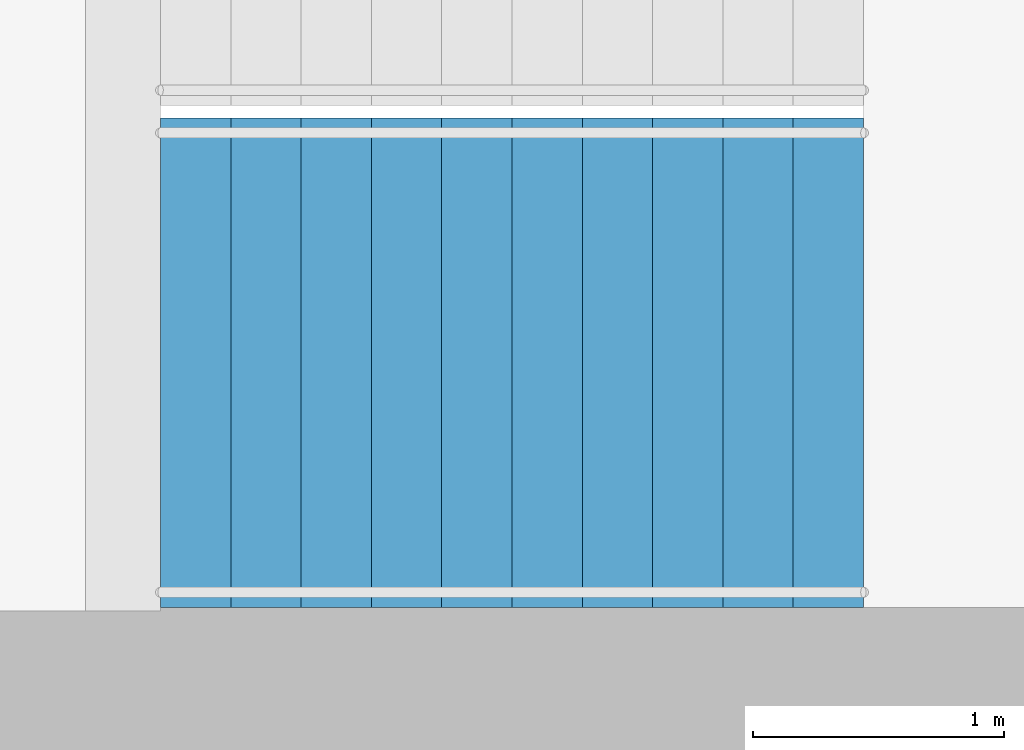
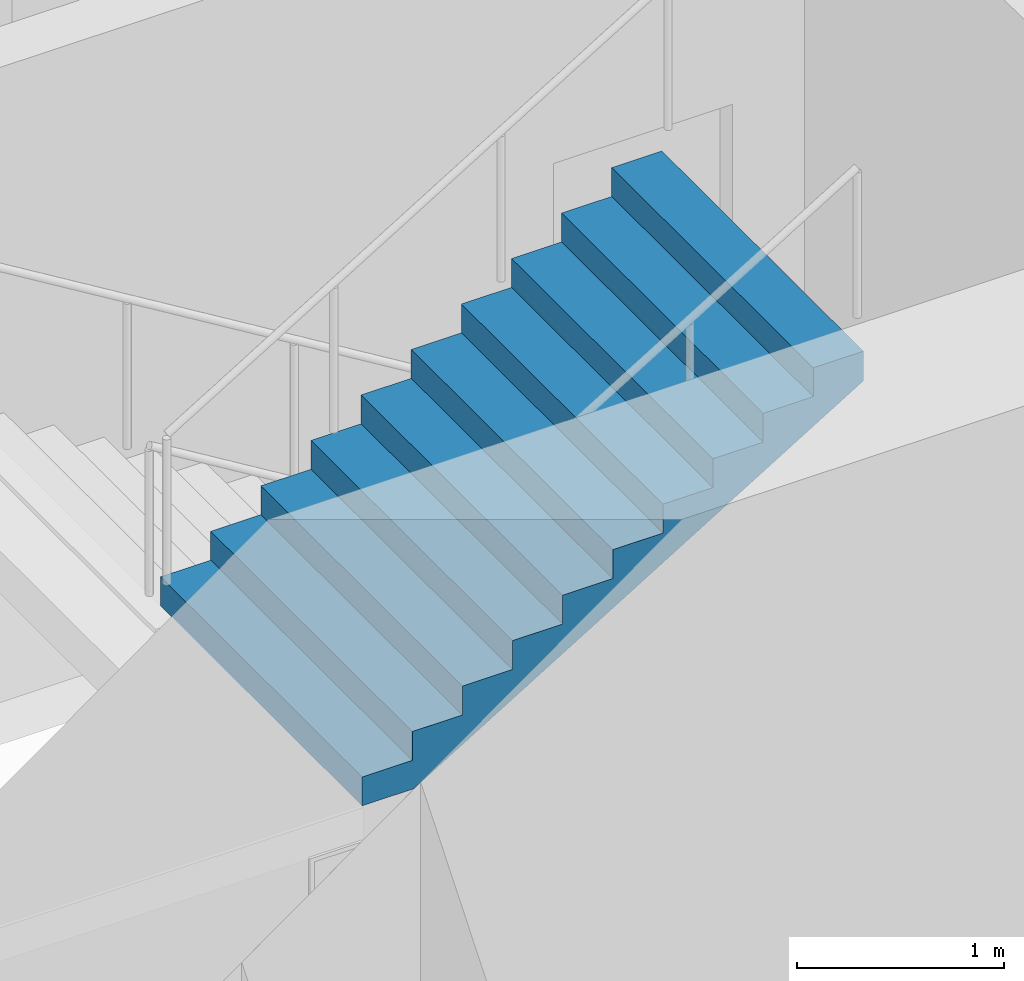
# One storey, part 22 of 24: 1 stair flight, 1 element without a shape of its own.
"""IFC4 building model written with IfcOpenShell, lengths in metres."""

from ifc_helpers import new_model, si_unit, direction, frame, origin, place, context, subcontext, project, spatial, triangles, material, type_object, element, aggregate, save


model = new_model("IFC4")

# Units and contexts
model_context = context("Model", 3, precision=1e-05, world=origin(), true_north=direction((0.0, 1.0)))
body_context = subcontext(model_context, "Body", "Model", "MODEL_VIEW")
ifc_project = project(units=[si_unit("LENGTHUNIT", "METRE"), si_unit("AREAUNIT", "SQUARE_METRE"), si_unit("VOLUMEUNIT", "CUBIC_METRE"), si_unit("PLANEANGLEUNIT", "RADIAN"), si_unit("MASSUNIT", "GRAM", prefix="KILO")], contexts=[model_context])

# Site, building, storey
site_placement = place(None, origin())
site = spatial("IfcSite", under=ifc_project, at=site_placement, CompositionType="ELEMENT")
building_placement = place(site_placement, origin())
building = spatial("IfcBuilding", under=site, at=building_placement, Name="Orbita Commons", CompositionType="ELEMENT")
storey_placement = place(building_placement, frame((0.0, 0.0, 20.199951171875)))
storey = spatial("IfcBuildingStorey", under=building, at=storey_placement, Name="L04", CompositionType="ELEMENT", Elevation=20.199951171875)

# Stair, stair flight
ifc_material_1 = material(Name="Precast concrete C40/50", Category="concrete")
stair_type = type_object("IfcStairType", Name="Exit stair S2 2 flights 11 risers 170", PredefinedType="HALF_TURN_STAIR", material=ifc_material_1)
stair_placement = place(storey_placement, origin())
stair = element("IfcStair", 1, at=stair_placement, inside=storey, type_object=stair_type, Name="Exit stair S2 L04", PredefinedType="HALF_TURN_STAIR")
ifc_material_2 = material(Name="Precast concrete C40/50", Category="concrete")
stair_flight_type = type_object("IfcStairFlightType", Name="Stair flight 11 risers 170 x 280", PredefinedType="STRAIGHT", material=ifc_material_2)
stair_flight_placement = place(storey_placement, frame((60.75, 27.27490234375, 1.875), z_axis=(0.0, 0.0, 1.0), x_axis=(1.0, 0.0, 0.0)))
stair_flight = element("IfcStairFlight", 2, at=stair_flight_placement, type_object=stair_flight_type, Name="S2 flight 2", NumberOfRisers=11, NumberOfTreads=10, PredefinedType="STRAIGHT", RiserHeight=0.170454545, TreadLength=0.28, context=body_context, shape_type="Tessellation", body=[
    triangles([(0.0, 0.974976, 0.0), (0.0, 0.974976, 0.021307), (0.0, 0.81248, 0.021307), (0.0, 0.81248, 0.0), (0.0, 0.649984, 0.021307), (0.0, 0.649984, 0.0), (0.0, 0.487488, 0.021307), (0.0, 0.487488, 0.0), (0.0, 0.324992, 0.021307), (0.0, 0.324992, 0.0), (0.0, 0.162496, 0.021307), (0.0, 0.162496, 0.0), (0.0, 0.0, 0.021307), (0.0, 0.0, 0.0), (0.0, -0.162496, 0.021307), (0.0, -0.162496, 0.0), (0.0, -0.324992, 0.021307), (0.0, -0.324992, 0.0), (0.0, -0.487488, 0.021307), (0.0, -0.487488, 0.0), (0.0, -0.649984, 0.021307), (0.0, -0.649984, 0.0), (0.0, -0.81248, 0.021307), (0.0, -0.81248, 0.0), (0.0, -0.974976, 0.021307), (0.0, -0.974976, 0.0), (0.0, 0.974976, 0.042614), (0.0, 0.81248, 0.042614), (0.0, 0.649984, 0.042614), (0.0, 0.487488, 0.042614), (0.0, 0.324992, 0.042614), (0.0, 0.162496, 0.042614), (0.0, 0.0, 0.042614), (0.0, -0.162496, 0.042614), (0.0, -0.324992, 0.042614), (0.0, -0.487488, 0.042614), (0.0, -0.649984, 0.042614), (0.0, -0.81248, 0.042614), (0.0, -0.974976, 0.042614), (0.0, 0.974976, 0.06392), (0.0, 0.81248, 0.06392), (0.0, 0.649984, 0.06392), (0.0, 0.487488, 0.06392), (0.0, 0.324992, 0.06392), (0.0, 0.162496, 0.06392), (0.0, 0.0, 0.06392), (0.0, -0.162496, 0.06392), (0.0, -0.324992, 0.06392), (0.0, -0.487488, 0.06392), (0.0, -0.649984, 0.06392), (0.0, -0.81248, 0.06392), (0.0, -0.974976, 0.06392), (0.0, 0.974976, 0.085227), (0.0, 0.81248, 0.085227), (0.0, 0.649984, 0.085227), (0.0, 0.487488, 0.085227), (0.0, 0.324992, 0.085227), (0.0, 0.162496, 0.085227), (0.0, 0.0, 0.085227), (0.0, -0.162496, 0.085227), (0.0, -0.324992, 0.085227), (0.0, -0.487488, 0.085227), (0.0, -0.649984, 0.085227), (0.0, -0.81248, 0.085227), (0.0, -0.974976, 0.085227), (0.0, 0.974976, 0.106534), (0.0, 0.81248, 0.106534), (0.0, 0.649984, 0.106534), (0.0, 0.487488, 0.106534), (0.0, 0.324992, 0.106534), (0.0, 0.162496, 0.106534), (0.0, 0.0, 0.106534), (0.0, -0.162496, 0.106534), (0.0, -0.324992, 0.106534), (0.0, -0.487488, 0.106534), (0.0, -0.649984, 0.106534), (0.0, -0.81248, 0.106534), (0.0, -0.974976, 0.106534), (0.0, 0.974976, 0.127841), (0.0, 0.81248, 0.127841), (0.0, 0.649984, 0.127841), (0.0, 0.487488, 0.127841), (0.0, 0.324992, 0.127841), (0.0, 0.162496, 0.127841), (0.0, 0.0, 0.127841), (0.0, -0.162496, 0.127841), (0.0, -0.324992, 0.127841), (0.0, -0.487488, 0.127841), (0.0, -0.649984, 0.127841), (0.0, -0.81248, 0.127841), (0.0, -0.974976, 0.127841), (0.0, 0.974976, 0.149148), (0.0, 0.81248, 0.149148), (0.0, 0.649984, 0.149148), (0.0, 0.487488, 0.149148), (0.0, 0.324992, 0.149148), (0.0, 0.162496, 0.149148), (0.0, 0.0, 0.149148), (0.0, -0.162496, 0.149148), (0.0, -0.324992, 0.149148), (0.0, -0.487488, 0.149148), (0.0, -0.649984, 0.149148), (0.0, -0.81248, 0.149148), (0.0, -0.974976, 0.149148), (0.0, 0.974976, 0.170455), (0.0, 0.81248, 0.170455), (0.0, 0.649984, 0.170455), (0.0, 0.487488, 0.170455), (0.0, 0.324992, 0.170455), (0.0, 0.162496, 0.170455), (0.0, 0.0, 0.170455), (0.0, -0.162496, 0.170455), (0.0, -0.324992, 0.170455), (0.0, -0.487488, 0.170455), (0.0, -0.649984, 0.170455), (0.0, -0.81248, 0.170455), (0.0, -0.974976, 0.170455), (0.28, 0.974976, 0.170455), (0.28, 0.81248, 0.170455), (0.28, 0.649984, 0.170455), (0.28, 0.487488, 0.170455), (0.28, 0.324992, 0.170455), (0.28, 0.162496, 0.170455), (0.28, 0.0, 0.170455), (0.28, -0.162496, 0.170455), (0.28, -0.324992, 0.170455), (0.28, -0.487488, 0.170455), (0.28, -0.649984, 0.170455), (0.28, -0.81248, 0.170455), (0.28, -0.974976, 0.170455), (0.28, 0.974976, 0.340909), (0.28, 0.81248, 0.340909), (0.28, 0.649984, 0.340909), (0.28, 0.487488, 0.340909), (0.28, 0.324992, 0.340909), (0.28, 0.162496, 0.340909), (0.28, 0.0, 0.340909), (0.28, -0.162496, 0.340909), (0.28, -0.324992, 0.340909), (0.28, -0.487488, 0.340909), (0.28, -0.649984, 0.340909), (0.28, -0.81248, 0.340909), (0.28, -0.974976, 0.340909), (0.56, 0.974976, 0.340909), (0.56, 0.81248, 0.340909), (0.56, 0.649984, 0.340909), (0.56, 0.487488, 0.340909), (0.56, 0.324992, 0.340909), (0.56, 0.162496, 0.340909), (0.56, 0.0, 0.340909), (0.56, -0.162496, 0.340909), (0.56, -0.324992, 0.340909), (0.56, -0.487488, 0.340909), (0.56, -0.649984, 0.340909), (0.56, -0.81248, 0.340909), (0.56, -0.974976, 0.340909), (0.56, 0.974976, 0.511364), (0.56, 0.81248, 0.511364), (0.56, 0.649984, 0.511364), (0.56, 0.487488, 0.511364), (0.56, 0.324992, 0.511364), (0.56, 0.162496, 0.511364), (0.56, 0.0, 0.511364), (0.56, -0.162496, 0.511364), (0.56, -0.324992, 0.511364), (0.56, -0.487488, 0.511364), (0.56, -0.649984, 0.511364), (0.56, -0.81248, 0.511364), (0.56, -0.974976, 0.511364), (0.84, 0.974976, 0.511364), (0.84, 0.81248, 0.511364), (0.84, 0.649984, 0.511364), (0.84, 0.487488, 0.511364), (0.84, 0.324992, 0.511364), (0.84, 0.162496, 0.511364), (0.84, 0.0, 0.511364), (0.84, -0.162496, 0.511364), (0.84, -0.324992, 0.511364), (0.84, -0.487488, 0.511364), (0.84, -0.649984, 0.511364), (0.84, -0.81248, 0.511364), (0.84, -0.974976, 0.511364), (0.84, 0.974976, 0.681818), (0.84, 0.81248, 0.681818), (0.84, 0.649984, 0.681818), (0.84, 0.487488, 0.681818), (0.84, 0.324992, 0.681818), (0.84, 0.162496, 0.681818), (0.84, 0.0, 0.681818), (0.84, -0.162496, 0.681818), (0.84, -0.324992, 0.681818), (0.84, -0.487488, 0.681818), (0.84, -0.649984, 0.681818), (0.84, -0.81248, 0.681818), (0.84, -0.974976, 0.681818), (1.12, 0.974976, 0.681818), (1.12, 0.81248, 0.681818), (1.12, 0.649984, 0.681818), (1.12, 0.487488, 0.681818), (1.12, 0.324992, 0.681818), (1.12, 0.162496, 0.681818), (1.12, 0.0, 0.681818), (1.12, -0.162496, 0.681818), (1.12, -0.324992, 0.681818), (1.12, -0.487488, 0.681818), (1.12, -0.649984, 0.681818), (1.12, -0.81248, 0.681818), (1.12, -0.974976, 0.681818), (1.12, 0.974976, 0.852273), (1.12, 0.81248, 0.852273), (1.12, 0.649984, 0.852273), (1.12, 0.487488, 0.852273), (1.12, 0.324992, 0.852273), (1.12, 0.162496, 0.852273), (1.12, 0.0, 0.852273), (1.12, -0.162496, 0.852273), (1.12, -0.324992, 0.852273), (1.12, -0.487488, 0.852273), (1.12, -0.649984, 0.852273), (1.12, -0.81248, 0.852273), (1.12, -0.974976, 0.852273), (1.4, 0.974976, 0.852273), (1.4, 0.81248, 0.852273), (1.4, 0.649984, 0.852273), (1.4, 0.487488, 0.852273), (1.4, 0.324992, 0.852273), (1.4, 0.162496, 0.852273), (1.4, 0.0, 0.852273), (1.4, -0.162496, 0.852273), (1.4, -0.324992, 0.852273), (1.4, -0.487488, 0.852273), (1.4, -0.649984, 0.852273), (1.4, -0.81248, 0.852273), (1.4, -0.974976, 0.852273), (1.4, 0.974976, 1.022727), (1.4, 0.81248, 1.022727), (1.4, 0.649984, 1.022727), (1.4, 0.487488, 1.022727), (1.4, 0.324992, 1.022727), (1.4, 0.162496, 1.022727), (1.4, 0.0, 1.022727), (1.4, -0.162496, 1.022727), (1.4, -0.324992, 1.022727), (1.4, -0.487488, 1.022727), (1.4, -0.649984, 1.022727), (1.4, -0.81248, 1.022727), (1.4, -0.974976, 1.022727), (1.68, 0.974976, 1.022727), (1.68, 0.81248, 1.022727), (1.68, 0.649984, 1.022727), (1.68, 0.487488, 1.022727), (1.68, 0.324992, 1.022727), (1.68, 0.162496, 1.022727), (1.68, 0.0, 1.022727), (1.68, -0.162496, 1.022727), (1.68, -0.324992, 1.022727), (1.68, -0.487488, 1.022727), (1.68, -0.649984, 1.022727), (1.68, -0.81248, 1.022727), (1.68, -0.974976, 1.022727), (1.68, 0.974976, 1.193182), (1.68, 0.81248, 1.193182), (1.68, 0.649984, 1.193182), (1.68, 0.487488, 1.193182), (1.68, 0.324992, 1.193182), (1.68, 0.162496, 1.193182), (1.68, 0.0, 1.193182), (1.68, -0.162496, 1.193182), (1.68, -0.324992, 1.193182), (1.68, -0.487488, 1.193182), (1.68, -0.649984, 1.193182), (1.68, -0.81248, 1.193182), (1.68, -0.974976, 1.193182), (1.96, 0.974976, 1.193182), (1.96, 0.81248, 1.193182), (1.96, 0.649984, 1.193182), (1.96, 0.487488, 1.193182), (1.96, 0.324992, 1.193182), (1.96, 0.162496, 1.193182), (1.96, 0.0, 1.193182), (1.96, -0.162496, 1.193182), (1.96, -0.324992, 1.193182), (1.96, -0.487488, 1.193182), (1.96, -0.649984, 1.193182), (1.96, -0.81248, 1.193182), (1.96, -0.974976, 1.193182), (1.96, 0.974976, 1.363636), (1.96, 0.81248, 1.363636), (1.96, 0.649984, 1.363636), (1.96, 0.487488, 1.363636), (1.96, 0.324992, 1.363636), (1.96, 0.162496, 1.363636), (1.96, 0.0, 1.363636), (1.96, -0.162496, 1.363636), (1.96, -0.324992, 1.363636), (1.96, -0.487488, 1.363636), (1.96, -0.649984, 1.363636), (1.96, -0.81248, 1.363636), (1.96, -0.974976, 1.363636), (2.24, 0.974976, 1.363636), (2.24, 0.81248, 1.363636), (2.24, 0.649984, 1.363636), (2.24, 0.487488, 1.363636), (2.24, 0.324992, 1.363636), (2.24, 0.162496, 1.363636), (2.24, 0.0, 1.363636), (2.24, -0.162496, 1.363636), (2.24, -0.324992, 1.363636), (2.24, -0.487488, 1.363636), (2.24, -0.649984, 1.363636), (2.24, -0.81248, 1.363636), (2.24, -0.974976, 1.363636), (2.24, 0.974976, 1.534091), (2.24, 0.81248, 1.534091), (2.24, 0.649984, 1.534091), (2.24, 0.487488, 1.534091), (2.24, 0.324992, 1.534091), (2.24, 0.162496, 1.534091), (2.24, 0.0, 1.534091), (2.24, -0.162496, 1.534091), (2.24, -0.324992, 1.534091), (2.24, -0.487488, 1.534091), (2.24, -0.649984, 1.534091), (2.24, -0.81248, 1.534091), (2.24, -0.974976, 1.534091), (2.52, 0.974976, 1.534091), (2.52, 0.81248, 1.534091), (2.52, 0.649984, 1.534091), (2.52, 0.487488, 1.534091), (2.52, 0.324992, 1.534091), (2.52, 0.162496, 1.534091), (2.52, 0.0, 1.534091), (2.52, -0.162496, 1.534091), (2.52, -0.324992, 1.534091), (2.52, -0.487488, 1.534091), (2.52, -0.649984, 1.534091), (2.52, -0.81248, 1.534091), (2.52, -0.974976, 1.534091), (2.52, 0.974976, 1.704545), (2.52, 0.81248, 1.704545), (2.52, 0.649984, 1.704545), (2.52, 0.487488, 1.704545), (2.52, 0.324992, 1.704545), (2.52, 0.162496, 1.704545), (2.52, 0.0, 1.704545), (2.52, -0.162496, 1.704545), (2.52, -0.324992, 1.704545), (2.52, -0.487488, 1.704545), (2.52, -0.649984, 1.704545), (2.52, -0.81248, 1.704545), (2.52, -0.974976, 1.704545), (2.8, 0.974976, 1.704545), (2.8, 0.81248, 1.704545), (2.8, 0.649984, 1.704545), (2.8, 0.487488, 1.704545), (2.8, 0.324992, 1.704545), (2.8, 0.162496, 1.704545), (2.8, 0.0, 1.704545), (2.8, -0.162496, 1.704545), (2.8, -0.324992, 1.704545), (2.8, -0.487488, 1.704545), (2.8, -0.649984, 1.704545), (2.8, -0.81248, 1.704545), (2.8, -0.974976, 1.704545), (2.8, 0.974976, 1.682609), (2.8, 0.81248, 1.682609), (2.8, 0.649984, 1.682609), (2.8, 0.487488, 1.682609), (2.8, 0.324992, 1.682609), (2.8, 0.162496, 1.682609), (2.8, 0.0, 1.682609), (2.8, -0.162496, 1.682609), (2.8, -0.324992, 1.682609), (2.8, -0.487488, 1.682609), (2.8, -0.649984, 1.682609), (2.8, -0.81248, 1.682609), (2.8, -0.974976, 1.682609), (2.8, 0.974976, 1.660672), (2.8, 0.81248, 1.660672), (2.8, 0.649984, 1.660672), (2.8, 0.487488, 1.660672), (2.8, 0.324992, 1.660672), (2.8, 0.162496, 1.660672), (2.8, 0.0, 1.660672), (2.8, -0.162496, 1.660672), (2.8, -0.324992, 1.660672), (2.8, -0.487488, 1.660672), (2.8, -0.649984, 1.660672), (2.8, -0.81248, 1.660672), (2.8, -0.974976, 1.660672), (2.8, 0.974976, 1.638735), (2.8, 0.81248, 1.638735), (2.8, 0.649984, 1.638735), (2.8, 0.487488, 1.638735), (2.8, 0.324992, 1.638735), (2.8, 0.162496, 1.638735), (2.8, 0.0, 1.638735), (2.8, -0.162496, 1.638735), (2.8, -0.324992, 1.638735), (2.8, -0.487488, 1.638735), (2.8, -0.649984, 1.638735), (2.8, -0.81248, 1.638735), (2.8, -0.974976, 1.638735), (2.8, 0.974976, 1.616798), (2.8, 0.81248, 1.616798), (2.8, 0.649984, 1.616798), (2.8, 0.487488, 1.616798), (2.8, 0.324992, 1.616798), (2.8, 0.162496, 1.616798), (2.8, 0.0, 1.616798), (2.8, -0.162496, 1.616798), (2.8, -0.324992, 1.616798), (2.8, -0.487488, 1.616798), (2.8, -0.649984, 1.616798), (2.8, -0.81248, 1.616798), (2.8, -0.974976, 1.616798), (2.8, 0.974976, 1.594861), (2.8, 0.81248, 1.594861), (2.8, 0.649984, 1.594861), (2.8, 0.487488, 1.594861), (2.8, 0.324992, 1.594861), (2.8, 0.162496, 1.594861), (2.8, 0.0, 1.594861), (2.8, -0.162496, 1.594861), (2.8, -0.324992, 1.594861), (2.8, -0.487488, 1.594861), (2.8, -0.649984, 1.594861), (2.8, -0.81248, 1.594861), (2.8, -0.974976, 1.594861), (2.8, 0.974976, 1.572925), (2.8, 0.81248, 1.572925), (2.8, 0.649984, 1.572925), (2.8, 0.487488, 1.572925), (2.8, 0.324992, 1.572925), (2.8, 0.162496, 1.572925), (2.8, 0.0, 1.572925), (2.8, -0.162496, 1.572925), (2.8, -0.324992, 1.572925), (2.8, -0.487488, 1.572925), (2.8, -0.649984, 1.572925), (2.8, -0.81248, 1.572925), (2.8, -0.974976, 1.572925), (2.8, 0.974976, 1.550988), (2.8, 0.81248, 1.550988), (2.8, 0.649984, 1.550988), (2.8, 0.487488, 1.550988), (2.8, 0.324992, 1.550988), (2.8, 0.162496, 1.550988), (2.8, 0.0, 1.550988), (2.8, -0.162496, 1.550988), (2.8, -0.324992, 1.550988), (2.8, -0.487488, 1.550988), (2.8, -0.649984, 1.550988), (2.8, -0.81248, 1.550988), (2.8, -0.974976, 1.550988), (2.8, 0.974976, 1.529051), (2.8, 0.81248, 1.529051), (2.8, 0.649984, 1.529051), (2.8, 0.487488, 1.529051), (2.8, 0.324992, 1.529051), (2.8, 0.162496, 1.529051), (2.8, 0.0, 1.529051), (2.8, -0.162496, 1.529051), (2.8, -0.324992, 1.529051), (2.8, -0.487488, 1.529051), (2.8, -0.649984, 1.529051), (2.8, -0.81248, 1.529051), (2.8, -0.974976, 1.529051), (0.288279, 0.974976, 0.0), (0.288279, 0.81248, 0.0), (0.288279, 0.649984, 0.0), (0.288279, 0.487488, 0.0), (0.288279, 0.324992, 0.0), (0.288279, 0.162496, 0.0), (0.288279, 0.0, 0.0), (0.288279, -0.162496, 0.0), (0.288279, -0.324992, 0.0), (0.288279, -0.487488, 0.0), (0.288279, -0.649984, 0.0), (0.288279, -0.81248, 0.0), (0.288279, -0.974976, 0.0)], [[3, 2, 1], [4, 3, 1], [5, 3, 4], [6, 5, 4], [7, 5, 6], [8, 7, 6], [9, 7, 8], [10, 9, 8], [11, 9, 10], [12, 11, 10], [13, 11, 12], [14, 13, 12], [15, 13, 14], [16, 15, 14], [17, 15, 16], [18, 17, 16], [19, 17, 18], [20, 19, 18], [21, 19, 20], [22, 21, 20], [23, 21, 22], [24, 23, 22], [25, 23, 24], [26, 25, 24], [28, 27, 2], [3, 28, 2], [29, 28, 3], [5, 29, 3], [30, 29, 5], [7, 30, 5], [31, 30, 7], [9, 31, 7], [32, 31, 9], [11, 32, 9], [33, 32, 11], [13, 33, 11], [34, 33, 13], [15, 34, 13], [35, 34, 15], [17, 35, 15], [36, 35, 17], [19, 36, 17], [37, 36, 19], [21, 37, 19], [38, 37, 21], [23, 38, 21], [39, 38, 23], [25, 39, 23], [41, 40, 27], [28, 41, 27], [42, 41, 28], [29, 42, 28], [43, 42, 29], [30, 43, 29], [44, 43, 30], [31, 44, 30], [45, 44, 31], [32, 45, 31], [46, 45, 32], [33, 46, 32], [47, 46, 33], [34, 47, 33], [48, 47, 34], [35, 48, 34], [49, 48, 35], [36, 49, 35], [50, 49, 36], [37, 50, 36], [51, 50, 37], [38, 51, 37], [52, 51, 38], [39, 52, 38], [54, 53, 40], [41, 54, 40], [55, 54, 41], [42, 55, 41], [56, 55, 42], [43, 56, 42], [57, 56, 43], [44, 57, 43], [58, 57, 44], [45, 58, 44], [59, 58, 45], [46, 59, 45], [60, 59, 46], [47, 60, 46], [61, 60, 47], [48, 61, 47], [62, 61, 48], [49, 62, 48], [63, 62, 49], [50, 63, 49], [64, 63, 50], [51, 64, 50], [65, 64, 51], [52, 65, 51], [67, 66, 53], [54, 67, 53], [68, 67, 54], [55, 68, 54], [69, 68, 55], [56, 69, 55], [70, 69, 56], [57, 70, 56], [71, 70, 57], [58, 71, 57], [72, 71, 58], [59, 72, 58], [73, 72, 59], [60, 73, 59], [74, 73, 60], [61, 74, 60], [75, 74, 61], [62, 75, 61], [76, 75, 62], [63, 76, 62], [77, 76, 63], [64, 77, 63], [78, 77, 64], [65, 78, 64], [80, 79, 66], [67, 80, 66], [81, 80, 67], [68, 81, 67], [82, 81, 68], [69, 82, 68], [83, 82, 69], [70, 83, 69], [84, 83, 70], [71, 84, 70], [85, 84, 71], [72, 85, 71], [86, 85, 72], [73, 86, 72], [87, 86, 73], [74, 87, 73], [88, 87, 74], [75, 88, 74], [89, 88, 75], [76, 89, 75], [90, 89, 76], [77, 90, 76], [91, 90, 77], [78, 91, 77], [93, 92, 79], [80, 93, 79], [94, 93, 80], [81, 94, 80], [95, 94, 81], [82, 95, 81], [96, 95, 82], [83, 96, 82], [97, 96, 83], [84, 97, 83], [98, 97, 84], [85, 98, 84], [99, 98, 85], [86, 99, 85], [100, 99, 86], [87, 100, 86], [101, 100, 87], [88, 101, 87], [102, 101, 88], [89, 102, 88], [103, 102, 89], [90, 103, 89], [104, 103, 90], [91, 104, 90], [106, 105, 92], [93, 106, 92], [107, 106, 93], [94, 107, 93], [108, 107, 94], [95, 108, 94], [109, 108, 95], [96, 109, 95], [110, 109, 96], [97, 110, 96], [111, 110, 97], [98, 111, 97], [112, 111, 98], [99, 112, 98], [113, 112, 99], [100, 113, 99], [114, 113, 100], [101, 114, 100], [115, 114, 101], [102, 115, 101], [116, 115, 102], [103, 116, 102], [117, 116, 103], [104, 117, 103], [119, 118, 105], [106, 119, 105], [120, 119, 106], [107, 120, 106], [121, 120, 107], [108, 121, 107], [122, 121, 108], [109, 122, 108], [123, 122, 109], [110, 123, 109], [124, 123, 110], [111, 124, 110], [125, 124, 111], [112, 125, 111], [126, 125, 112], [113, 126, 112], [127, 126, 113], [114, 127, 113], [128, 127, 114], [115, 128, 114], [129, 128, 115], [116, 129, 115], [130, 129, 116], [117, 130, 116], [132, 131, 118], [119, 132, 118], [133, 132, 119], [120, 133, 119], [134, 133, 120], [121, 134, 120], [135, 134, 121], [122, 135, 121], [136, 135, 122], [123, 136, 122], [137, 136, 123], [124, 137, 123], [138, 137, 124], [125, 138, 124], [139, 138, 125], [126, 139, 125], [140, 139, 126], [127, 140, 126], [141, 140, 127], [128, 141, 127], [142, 141, 128], [129, 142, 128], [143, 142, 129], [130, 143, 129], [145, 144, 131], [132, 145, 131], [146, 145, 132], [133, 146, 132], [147, 146, 133], [134, 147, 133], [148, 147, 134], [135, 148, 134], [149, 148, 135], [136, 149, 135], [150, 149, 136], [137, 150, 136], [151, 150, 137], [138, 151, 137], [152, 151, 138], [139, 152, 138], [153, 152, 139], [140, 153, 139], [154, 153, 140], [141, 154, 140], [155, 154, 141], [142, 155, 141], [156, 155, 142], [143, 156, 142], [158, 157, 144], [145, 158, 144], [159, 158, 145], [146, 159, 145], [160, 159, 146], [147, 160, 146], [161, 160, 147], [148, 161, 147], [162, 161, 148], [149, 162, 148], [163, 162, 149], [150, 163, 149], [164, 163, 150], [151, 164, 150], [165, 164, 151], [152, 165, 151], [166, 165, 152], [153, 166, 152], [167, 166, 153], [154, 167, 153], [168, 167, 154], [155, 168, 154], [169, 168, 155], [156, 169, 155], [171, 170, 157], [158, 171, 157], [172, 171, 158], [159, 172, 158], [173, 172, 159], [160, 173, 159], [174, 173, 160], [161, 174, 160], [175, 174, 161], [162, 175, 161], [176, 175, 162], [163, 176, 162], [177, 176, 163], [164, 177, 163], [178, 177, 164], [165, 178, 164], [179, 178, 165], [166, 179, 165], [180, 179, 166], [167, 180, 166], [181, 180, 167], [168, 181, 167], [182, 181, 168], [169, 182, 168], [184, 183, 170], [171, 184, 170], [185, 184, 171], [172, 185, 171], [186, 185, 172], [173, 186, 172], [187, 186, 173], [174, 187, 173], [188, 187, 174], [175, 188, 174], [189, 188, 175], [176, 189, 175], [190, 189, 176], [177, 190, 176], [191, 190, 177], [178, 191, 177], [192, 191, 178], [179, 192, 178], [193, 192, 179], [180, 193, 179], [194, 193, 180], [181, 194, 180], [195, 194, 181], [182, 195, 181], [197, 196, 183], [184, 197, 183], [198, 197, 184], [185, 198, 184], [199, 198, 185], [186, 199, 185], [200, 199, 186], [187, 200, 186], [201, 200, 187], [188, 201, 187], [202, 201, 188], [189, 202, 188], [203, 202, 189], [190, 203, 189], [204, 203, 190], [191, 204, 190], [205, 204, 191], [192, 205, 191], [206, 205, 192], [193, 206, 192], [207, 206, 193], [194, 207, 193], [208, 207, 194], [195, 208, 194], [210, 209, 196], [197, 210, 196], [211, 210, 197], [198, 211, 197], [212, 211, 198], [199, 212, 198], [213, 212, 199], [200, 213, 199], [214, 213, 200], [201, 214, 200], [215, 214, 201], [202, 215, 201], [216, 215, 202], [203, 216, 202], [217, 216, 203], [204, 217, 203], [218, 217, 204], [205, 218, 204], [219, 218, 205], [206, 219, 205], [220, 219, 206], [207, 220, 206], [221, 220, 207], [208, 221, 207], [223, 222, 209], [210, 223, 209], [224, 223, 210], [211, 224, 210], [225, 224, 211], [212, 225, 211], [226, 225, 212], [213, 226, 212], [227, 226, 213], [214, 227, 213], [228, 227, 214], [215, 228, 214], [229, 228, 215], [216, 229, 215], [230, 229, 216], [217, 230, 216], [231, 230, 217], [218, 231, 217], [232, 231, 218], [219, 232, 218], [233, 232, 219], [220, 233, 219], [234, 233, 220], [221, 234, 220], [236, 235, 222], [223, 236, 222], [237, 236, 223], [224, 237, 223], [238, 237, 224], [225, 238, 224], [239, 238, 225], [226, 239, 225], [240, 239, 226], [227, 240, 226], [241, 240, 227], [228, 241, 227], [242, 241, 228], [229, 242, 228], [243, 242, 229], [230, 243, 229], [244, 243, 230], [231, 244, 230], [245, 244, 231], [232, 245, 231], [246, 245, 232], [233, 246, 232], [247, 246, 233], [234, 247, 233], [249, 248, 235], [236, 249, 235], [250, 249, 236], [237, 250, 236], [251, 250, 237], [238, 251, 237], [252, 251, 238], [239, 252, 238], [253, 252, 239], [240, 253, 239], [254, 253, 240], [241, 254, 240], [255, 254, 241], [242, 255, 241], [256, 255, 242], [243, 256, 242], [257, 256, 243], [244, 257, 243], [258, 257, 244], [245, 258, 244], [259, 258, 245], [246, 259, 245], [260, 259, 246], [247, 260, 246], [262, 261, 248], [249, 262, 248], [263, 262, 249], [250, 263, 249], [264, 263, 250], [251, 264, 250], [265, 264, 251], [252, 265, 251], [266, 265, 252], [253, 266, 252], [267, 266, 253], [254, 267, 253], [268, 267, 254], [255, 268, 254], [269, 268, 255], [256, 269, 255], [270, 269, 256], [257, 270, 256], [271, 270, 257], [258, 271, 257], [272, 271, 258], [259, 272, 258], [273, 272, 259], [260, 273, 259], [275, 274, 261], [262, 275, 261], [276, 275, 262], [263, 276, 262], [277, 276, 263], [264, 277, 263], [278, 277, 264], [265, 278, 264], [279, 278, 265], [266, 279, 265], [280, 279, 266], [267, 280, 266], [281, 280, 267], [268, 281, 267], [282, 281, 268], [269, 282, 268], [283, 282, 269], [270, 283, 269], [284, 283, 270], [271, 284, 270], [285, 284, 271], [272, 285, 271], [286, 285, 272], [273, 286, 272], [288, 287, 274], [275, 288, 274], [289, 288, 275], [276, 289, 275], [290, 289, 276], [277, 290, 276], [291, 290, 277], [278, 291, 277], [292, 291, 278], [279, 292, 278], [293, 292, 279], [280, 293, 279], [294, 293, 280], [281, 294, 280], [295, 294, 281], [282, 295, 281], [296, 295, 282], [283, 296, 282], [297, 296, 283], [284, 297, 283], [298, 297, 284], [285, 298, 284], [299, 298, 285], [286, 299, 285], [301, 300, 287], [288, 301, 287], [302, 301, 288], [289, 302, 288], [303, 302, 289], [290, 303, 289], [304, 303, 290], [291, 304, 290], [305, 304, 291], [292, 305, 291], [306, 305, 292], [293, 306, 292], [307, 306, 293], [294, 307, 293], [308, 307, 294], [295, 308, 294], [309, 308, 295], [296, 309, 295], [310, 309, 296], [297, 310, 296], [311, 310, 297], [298, 311, 297], [312, 311, 298], [299, 312, 298], [314, 313, 300], [301, 314, 300], [315, 314, 301], [302, 315, 301], [316, 315, 302], [303, 316, 302], [317, 316, 303], [304, 317, 303], [318, 317, 304], [305, 318, 304], [319, 318, 305], [306, 319, 305], [320, 319, 306], [307, 320, 306], [321, 320, 307], [308, 321, 307], [322, 321, 308], [309, 322, 308], [323, 322, 309], [310, 323, 309], [324, 323, 310], [311, 324, 310], [325, 324, 311], [312, 325, 311], [327, 326, 313], [314, 327, 313], [328, 327, 314], [315, 328, 314], [329, 328, 315], [316, 329, 315], [330, 329, 316], [317, 330, 316], [331, 330, 317], [318, 331, 317], [332, 331, 318], [319, 332, 318], [333, 332, 319], [320, 333, 319], [334, 333, 320], [321, 334, 320], [335, 334, 321], [322, 335, 321], [336, 335, 322], [323, 336, 322], [337, 336, 323], [324, 337, 323], [338, 337, 324], [325, 338, 324], [340, 339, 326], [327, 340, 326], [341, 340, 327], [328, 341, 327], [342, 341, 328], [329, 342, 328], [343, 342, 329], [330, 343, 329], [344, 343, 330], [331, 344, 330], [345, 344, 331], [332, 345, 331], [346, 345, 332], [333, 346, 332], [347, 346, 333], [334, 347, 333], [348, 347, 334], [335, 348, 334], [349, 348, 335], [336, 349, 335], [350, 349, 336], [337, 350, 336], [351, 350, 337], [338, 351, 337], [353, 352, 339], [340, 353, 339], [354, 353, 340], [341, 354, 340], [355, 354, 341], [342, 355, 341], [356, 355, 342], [343, 356, 342], [357, 356, 343], [344, 357, 343], [358, 357, 344], [345, 358, 344], [359, 358, 345], [346, 359, 345], [360, 359, 346], [347, 360, 346], [361, 360, 347], [348, 361, 347], [362, 361, 348], [349, 362, 348], [363, 362, 349], [350, 363, 349], [364, 363, 350], [351, 364, 350], [366, 365, 352], [353, 366, 352], [367, 366, 353], [354, 367, 353], [368, 367, 354], [355, 368, 354], [369, 368, 355], [356, 369, 355], [370, 369, 356], [357, 370, 356], [371, 370, 357], [358, 371, 357], [372, 371, 358], [359, 372, 358], [373, 372, 359], [360, 373, 359], [374, 373, 360], [361, 374, 360], [375, 374, 361], [362, 375, 361], [376, 375, 362], [363, 376, 362], [377, 376, 363], [364, 377, 363], [379, 378, 365], [366, 379, 365], [380, 379, 366], [367, 380, 366], [381, 380, 367], [368, 381, 367], [382, 381, 368], [369, 382, 368], [383, 382, 369], [370, 383, 369], [384, 383, 370], [371, 384, 370], [385, 384, 371], [372, 385, 371], [386, 385, 372], [373, 386, 372], [387, 386, 373], [374, 387, 373], [388, 387, 374], [375, 388, 374], [389, 388, 375], [376, 389, 375], [390, 389, 376], [377, 390, 376], [392, 391, 378], [379, 392, 378], [393, 392, 379], [380, 393, 379], [394, 393, 380], [381, 394, 380], [395, 394, 381], [382, 395, 381], [396, 395, 382], [383, 396, 382], [397, 396, 383], [384, 397, 383], [398, 397, 384], [385, 398, 384], [399, 398, 385], [386, 399, 385], [400, 399, 386], [387, 400, 386], [401, 400, 387], [388, 401, 387], [402, 401, 388], [389, 402, 388], [403, 402, 389], [390, 403, 389], [405, 404, 391], [392, 405, 391], [406, 405, 392], [393, 406, 392], [407, 406, 393], [394, 407, 393], [408, 407, 394], [395, 408, 394], [409, 408, 395], [396, 409, 395], [410, 409, 396], [397, 410, 396], [411, 410, 397], [398, 411, 397], [412, 411, 398], [399, 412, 398], [413, 412, 399], [400, 413, 399], [414, 413, 400], [401, 414, 400], [415, 414, 401], [402, 415, 401], [416, 415, 402], [403, 416, 402], [418, 417, 404], [405, 418, 404], [419, 418, 405], [406, 419, 405], [420, 419, 406], [407, 420, 406], [421, 420, 407], [408, 421, 407], [422, 421, 408], [409, 422, 408], [423, 422, 409], [410, 423, 409], [424, 423, 410], [411, 424, 410], [425, 424, 411], [412, 425, 411], [426, 425, 412], [413, 426, 412], [427, 426, 413], [414, 427, 413], [428, 427, 414], [415, 428, 414], [429, 428, 415], [416, 429, 415], [431, 430, 417], [418, 431, 417], [432, 431, 418], [419, 432, 418], [433, 432, 419], [420, 433, 419], [434, 433, 420], [421, 434, 420], [435, 434, 421], [422, 435, 421], [436, 435, 422], [423, 436, 422], [437, 436, 423], [424, 437, 423], [438, 437, 424], [425, 438, 424], [439, 438, 425], [426, 439, 425], [440, 439, 426], [427, 440, 426], [441, 440, 427], [428, 441, 427], [442, 441, 428], [429, 442, 428], [444, 443, 430], [431, 444, 430], [445, 444, 431], [432, 445, 431], [446, 445, 432], [433, 446, 432], [447, 446, 433], [434, 447, 433], [448, 447, 434], [435, 448, 434], [449, 448, 435], [436, 449, 435], [450, 449, 436], [437, 450, 436], [451, 450, 437], [438, 451, 437], [452, 451, 438], [439, 452, 438], [453, 452, 439], [440, 453, 439], [454, 453, 440], [441, 454, 440], [455, 454, 441], [442, 455, 441], [457, 456, 443], [444, 457, 443], [458, 457, 444], [445, 458, 444], [459, 458, 445], [446, 459, 445], [460, 459, 446], [447, 460, 446], [461, 460, 447], [448, 461, 447], [462, 461, 448], [449, 462, 448], [463, 462, 449], [450, 463, 449], [464, 463, 450], [451, 464, 450], [465, 464, 451], [452, 465, 451], [466, 465, 452], [453, 466, 452], [467, 466, 453], [454, 467, 453], [468, 467, 454], [455, 468, 454], [470, 469, 456], [457, 470, 456], [471, 470, 457], [458, 471, 457], [472, 471, 458], [459, 472, 458], [473, 472, 459], [460, 473, 459], [474, 473, 460], [461, 474, 460], [475, 474, 461], [462, 475, 461], [476, 475, 462], [463, 476, 462], [477, 476, 463], [464, 477, 463], [478, 477, 464], [465, 478, 464], [479, 478, 465], [466, 479, 465], [480, 479, 466], [467, 480, 466], [481, 480, 467], [468, 481, 467], [4, 1, 469], [470, 4, 469], [6, 4, 470], [471, 6, 470], [8, 6, 471], [472, 8, 471], [10, 8, 472], [473, 10, 472], [12, 10, 473], [474, 12, 473], [14, 12, 474], [475, 14, 474], [16, 14, 475], [476, 16, 475], [18, 16, 476], [477, 18, 476], [20, 18, 477], [478, 20, 477], [22, 20, 478], [479, 22, 478], [24, 22, 479], [480, 24, 479], [26, 24, 480], [481, 26, 480], [456, 469, 1], [26, 481, 468], [443, 456, 1], [26, 468, 455], [430, 443, 1], [26, 455, 442], [417, 430, 1], [26, 442, 429], [404, 417, 1], [26, 429, 416], [391, 404, 1], [26, 416, 403], [378, 391, 1], [26, 403, 390], [365, 378, 1], [26, 390, 377], [339, 352, 365], [377, 364, 351], [326, 339, 365], [377, 351, 338], [300, 313, 326], [338, 325, 312], [300, 326, 365], [377, 338, 312], [274, 287, 300], [312, 299, 286], [274, 300, 365], [377, 312, 286], [248, 261, 274], [286, 273, 260], [248, 274, 365], [377, 286, 260], [222, 235, 248], [260, 247, 234], [222, 248, 365], [377, 260, 234], [196, 209, 222], [234, 221, 208], [196, 222, 365], [377, 234, 208], [170, 183, 196], [208, 195, 182], [170, 196, 365], [377, 208, 182], [144, 157, 170], [182, 169, 156], [144, 170, 365], [377, 182, 156], [118, 131, 144], [156, 143, 130], [118, 144, 365], [377, 156, 130], [118, 365, 1], [26, 377, 130], [92, 105, 118], [130, 117, 104], [79, 92, 118], [130, 104, 91], [66, 79, 118], [130, 91, 78], [53, 66, 118], [130, 78, 65], [40, 53, 118], [130, 65, 52], [27, 40, 118], [130, 52, 39], [2, 27, 118], [130, 39, 25], [1, 2, 118], [130, 25, 26]], closed=True),
])
aggregate(stair, [stair_flight])

save(model, "model.ifc")
